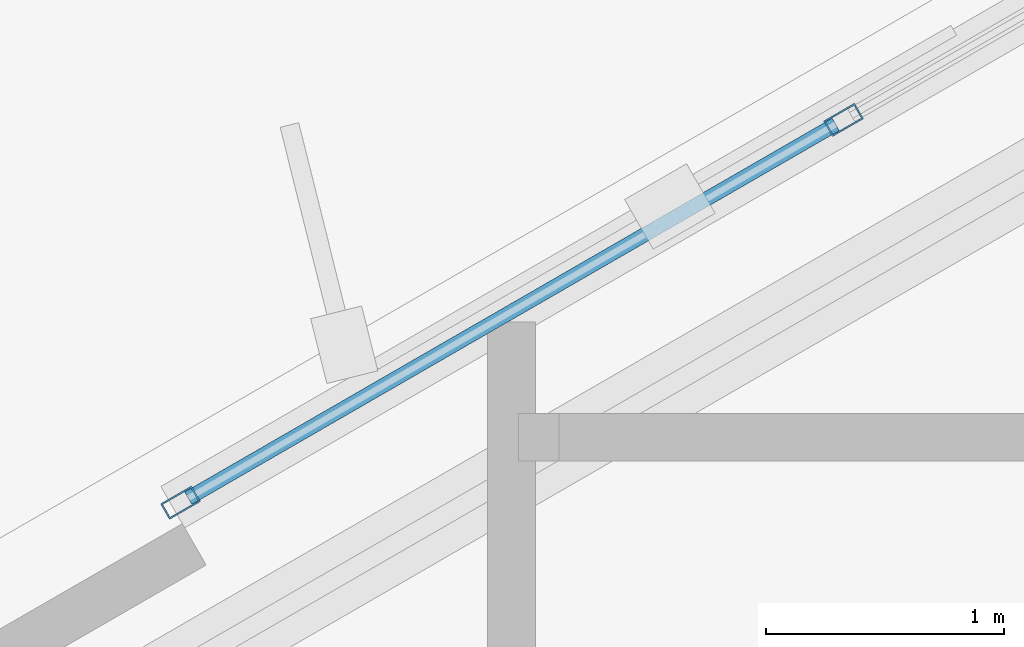
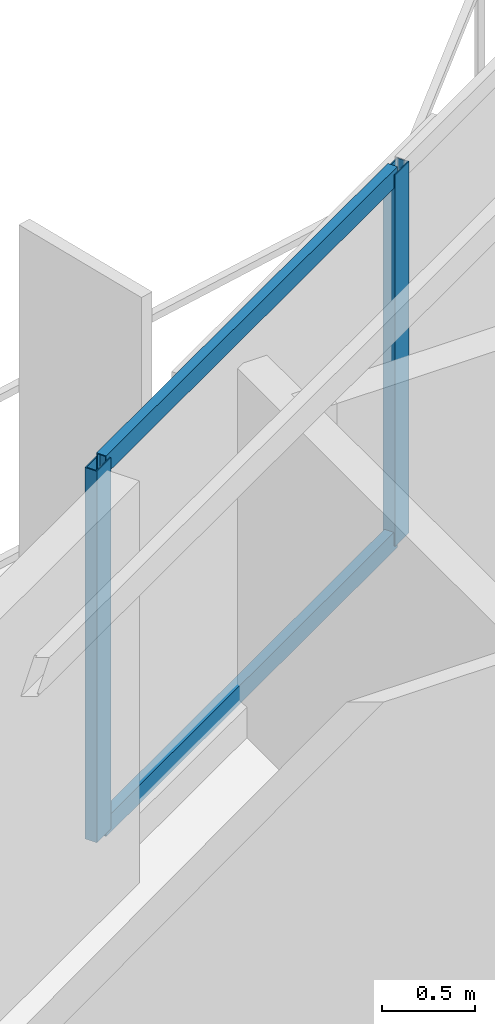
# One storey, part 8 of 22: 4 members, 1 element without a shape of its own.
"""IFC4 building model written with IfcOpenShell, lengths in metres."""

from ifc_helpers import new_model, si_unit, direction, frame, origin, origin_2d, place, context, subcontext, project, spatial, hollow_rectangle, extrude, material, layer, layer_set, material_profile, profile_set, type_object, element, aggregate, save


model = new_model("IFC4")

# Units and contexts
model_context = context("Model", 3, precision=1e-05, world=origin(), true_north=direction((0.0, 1.0)))
body_context = subcontext(model_context, "Body", "Model", "MODEL_VIEW")
ifc_project = project(units=[si_unit("LENGTHUNIT", "METRE"), si_unit("AREAUNIT", "SQUARE_METRE"), si_unit("VOLUMEUNIT", "CUBIC_METRE"), si_unit("PLANEANGLEUNIT", "RADIAN"), si_unit("MASSUNIT", "GRAM", prefix="KILO")], contexts=[model_context])

# Site, building, storey
site_placement = place(None, origin())
site = spatial("IfcSite", under=ifc_project, at=site_placement, CompositionType="ELEMENT")
building_placement = place(site_placement, origin())
building = spatial("IfcBuilding", under=site, at=building_placement, Name="Mersakhor Tower and Convention Hall", CompositionType="ELEMENT")
storey_placement = place(building_placement, frame((0.0, 0.0, 167.39990234375)))
storey = spatial("IfcBuildingStorey", under=building, at=storey_placement, Name="L46", CompositionType="ELEMENT", Elevation=167.39990234375)

# Curtain wall, members
ifc_material_1 = material(Name="Dark solar low-E aluminium curtain wall", Category="aluminium")
ifc_layer = layer(ifc_material_1, 0.169921875)
ifc_layer_set = layer_set([ifc_layer], Name="Dark solar low-E aluminium curtain wall")
curtain_wall_type = type_object("IfcCurtainWallType", Name="CW-SYS-02", PredefinedType="USERDEFINED", material=ifc_layer_set)
curtain_wall_placement = place(storey_placement, origin())
curtain_wall = element("IfcCurtainWall", 1, at=curtain_wall_placement, inside=storey, type_object=curtain_wall_type, Name="L46 Dark-Glass Curtain Wall F1-B2", ObjectType="CURTAIN WALL", PredefinedType="USERDEFINED")
ifc_material_2 = material(Name="Anodised aluminium EN AW-6063 T6", Category="aluminium")
ifc_material_profile_1 = material_profile(ifc_material_2, hollow_rectangle(XDim=0.074951171875, YDim=0.14990234375, WallThickness=0.00634765625, at=origin_2d()), Name="RHS 150x75x6.3")
ifc_profile_set_1 = profile_set([ifc_material_profile_1], Name="Anodised aluminium EN AW-6063 T6")
member_type_1 = type_object("IfcMemberType", Name="CWM-150x75", PredefinedType="MULLION", material=ifc_profile_set_1)
member_1_placement = place(storey_placement, frame((18.612060546875, 35.0751953125, 0.2001953125), z_axis=(0.0, 0.0, 1.0), x_axis=(-0.499998484116, 0.866026278978, 0.0)))
member_1 = element("IfcMember", 2, at=member_1_placement, type_object=member_type_1, Name="CW-02 mullion 1", PredefinedType="MULLION", context=body_context, shape_type="SweptSolid", body=[
    extrude(hollow_rectangle(XDim=0.074951171875, YDim=0.14990234375, WallThickness=0.00634765625, at=origin_2d()), origin(), (0.0, 0.0, 1.0), 2.43994140625),
])
member_2_placement = place(storey_placement, frame((21.391845703125, 36.68017578125, 0.2001953125), z_axis=(0.0, 0.0, 1.0), x_axis=(-0.499998484116, 0.866026278978, 0.0)))
member_2 = element("IfcMember", 3, at=member_2_placement, type_object=member_type_1, Name="CW-02 mullion 2", PredefinedType="MULLION", context=body_context, shape_type="SweptSolid", body=[
    extrude(hollow_rectangle(XDim=0.074951171875, YDim=0.14990234375, WallThickness=0.00634765625, at=origin_2d()), origin(), (0.0, 0.0, 1.0), 2.43994140625),
])
ifc_material_3 = material(Name="Anodised aluminium EN AW-6063 T6", Category="aluminium")
ifc_material_profile_2 = material_profile(ifc_material_3, hollow_rectangle(XDim=0.06005859375, YDim=0.1201171875, WallThickness=0.0048828125, at=origin_2d()), Name="RHS 120x60x5")
ifc_profile_set_2 = profile_set([ifc_material_profile_2], Name="Anodised aluminium EN AW-6063 T6")
member_type_2 = type_object("IfcMemberType", Name="CWT-120x60", PredefinedType="USERDEFINED", material=ifc_profile_set_2)
member_3_placement = place(storey_placement, frame((18.64453125, 35.093994140625, 0.22998046875), z_axis=(0.866029956157, 0.499992114976, 0.0), x_axis=(-0.499992114976, 0.866029956157, 0.0)))
member_3 = element("IfcMember", 4, at=member_3_placement, type_object=member_type_2, Name="CW-02 transom 1.1", ObjectType="TRANSOM", PredefinedType="USERDEFINED", context=body_context, shape_type="SweptSolid", body=[
    extrude(hollow_rectangle(XDim=0.06005859375, YDim=0.1201171875, WallThickness=0.0048828125, at=origin_2d()), origin(), (0.0, 0.0, 1.0), 3.134765625),
])
member_4_placement = place(storey_placement, frame((18.64453125, 35.093994140625, 2.610107421875), z_axis=(0.866029956157, 0.499992114976, 0.0), x_axis=(-0.499992114976, 0.866029956157, 0.0)))
member_4 = element("IfcMember", 5, at=member_4_placement, type_object=member_type_2, Name="CW-02 transom 1.2", ObjectType="TRANSOM", PredefinedType="USERDEFINED", context=body_context, shape_type="SweptSolid", body=[
    extrude(hollow_rectangle(XDim=0.06005859375, YDim=0.1201171875, WallThickness=0.0048828125, at=origin_2d()), origin(), (0.0, 0.0, 1.0), 3.134765625),
])
aggregate(curtain_wall, [member_1, member_2, member_3, member_4])

save(model, "model.ifc")
